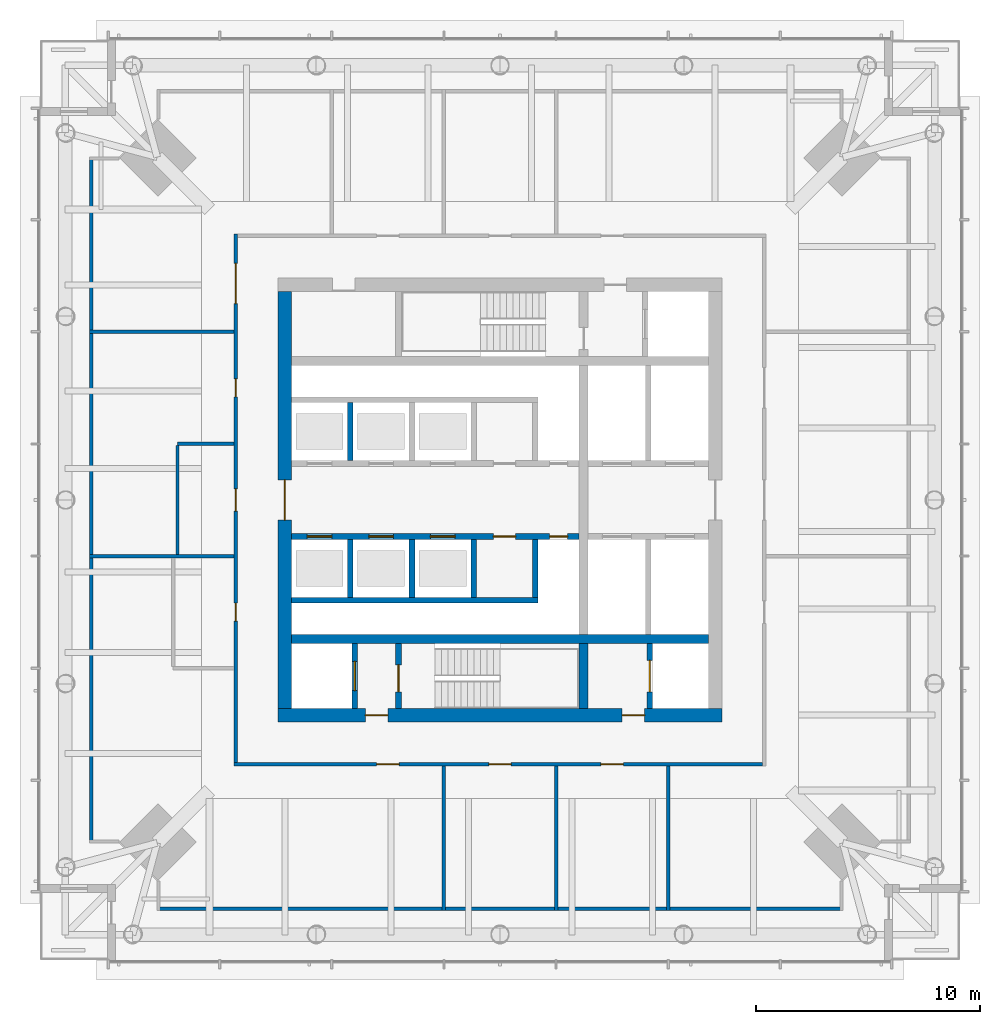
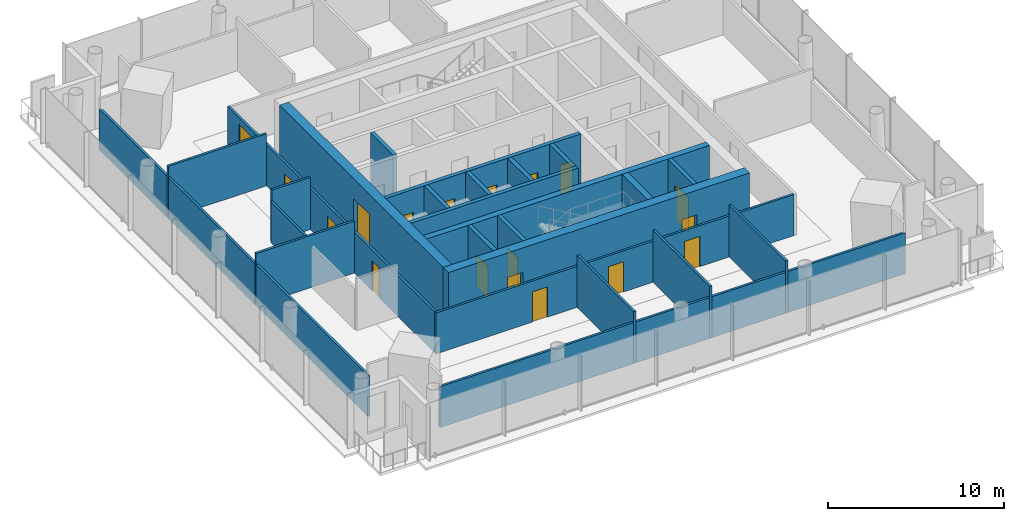
# One storey, part 4 of 12: 25 walls, 18 doors, 18 openings.
"""IFC4 building model written with IfcOpenShell, lengths in metres."""

import ifcopenshell
import ifcopenshell.guid

model = None  # the IFC model being written
_history = None  # IfcOwnerHistory: only IFC2X3 demands one
_inside = {}  # id of a spatial element -> (the spatial element, [elements in it])
_under = {}  # id of a project, library or spatial element -> (it, [spatial elements below it])
_declared = {}  # id of a project -> (the project, [libraries it declares])
_typed = {}  # id of a type object -> (the type object, [elements of that type])
_made_of = {}  # id of a material, layer set ... -> (it, [elements and type objects made of it])


def new_model(schema):
    """Start an empty IFC model of exactly this schema.

    Asked for "IFC4X3", IfcOpenShell would pick the latest addendum, in which some entities
    have other attributes; the version numbers below select the first issue.
    IFC2X3 requires an IfcOwnerHistory on every rooted entity: one is made here for all.
    """
    global model, _history
    if schema == "IFC4X3":
        model = ifcopenshell.file(schema_version=(4, 3, 0, 0))
    else:
        model = ifcopenshell.file(schema=schema)
    _inside.clear()
    _under.clear()
    _declared.clear()
    _typed.clear()
    _made_of.clear()
    _history = None
    if model.schema == "IFC2X3":
        org = make("IfcOrganization", Name="unknown")
        user = make(
            "IfcPersonAndOrganization",
            ThePerson=make("IfcPerson", FamilyName="unknown"),
            TheOrganization=org,
        )
        app = make(
            "IfcApplication",
            ApplicationDeveloper=org,
            Version="unknown",
            ApplicationFullName="unknown",
            ApplicationIdentifier="unknown",
        )
        _history = make(
            "IfcOwnerHistory",
            OwningUser=user,
            OwningApplication=app,
            ChangeAction="ADDED",
            CreationDate=0,
        )
    return model


def make(cls, **values):
    """One entity of the class cls with the attributes given. An attribute that is None is left unset."""
    return model.create_entity(
        cls, **{name: value for name, value in values.items() if value is not None}
    )


def rooted(cls, **values):
    """An entity with a GlobalId (a new one), such as an element, a storey or a relation."""
    return make(cls, GlobalId=ifcopenshell.guid.new(), OwnerHistory=_history, **values)


def si_unit(unit_type, name, prefix=None):
    """IfcSIUnit, for example si_unit("LENGTHUNIT", "METRE", prefix="MILLI")."""
    return make("IfcSIUnit", UnitType=unit_type, Prefix=prefix, Name=name)


def assignment(units):
    """IfcUnitAssignment: the units of a project."""
    return None if units is None else make("IfcUnitAssignment", Units=units)


def point(xyz):
    """IfcCartesianPoint."""
    return None if xyz is None else make("IfcCartesianPoint", Coordinates=xyz)


def direction(xyz):
    """IfcDirection."""
    return None if xyz is None else make("IfcDirection", DirectionRatios=xyz)


def frame(location, z_axis=None, x_axis=None):
    """IfcAxis2Placement3D, a coordinate frame: its origin and axes. An axis left out is left unset."""
    return make(
        "IfcAxis2Placement3D",
        Location=point(location),
        Axis=direction(z_axis),
        RefDirection=direction(x_axis),
    )


def frame_2d(location, x_axis=None):
    """IfcAxis2Placement2D, a coordinate frame in the plane: its origin and x axis."""
    return make(
        "IfcAxis2Placement2D", Location=point(location), RefDirection=direction(x_axis)
    )


def origin():
    """The frame at (0, 0, 0) with its axes left unset."""
    return frame((0.0, 0.0, 0.0))


def place(relative_to, where):
    """IfcLocalPlacement: puts the frame where relative to a parent placement (None: the world)."""
    return make(
        "IfcLocalPlacement", PlacementRelTo=relative_to, RelativePlacement=where
    )


def context(
    kind, dimensions, precision=None, world=None, true_north=None, identifier=None
):
    """IfcGeometricRepresentationContext, for example the 3D "Model" context."""
    return make(
        "IfcGeometricRepresentationContext",
        ContextIdentifier=identifier,
        ContextType=kind,
        CoordinateSpaceDimension=dimensions,
        Precision=precision,
        WorldCoordinateSystem=world,
        TrueNorth=true_north,
    )


def subcontext(parent, identifier, kind, view, scale=None):
    """IfcGeometricRepresentationSubContext, for example "Body" below "Model"."""
    return make(
        "IfcGeometricRepresentationSubContext",
        ContextIdentifier=identifier,
        ContextType=kind,
        ParentContext=parent,
        TargetScale=scale,
        TargetView=view,
    )


def project(units=None, contexts=None):
    """IfcProject with its units and contexts."""
    return rooted(
        "IfcProject",
        Name="project",
        RepresentationContexts=contexts,
        UnitsInContext=assignment(units),
    )


def spatial(cls, under=None, at=None, **own):
    """A site, building, storey or space (cls), placed at a placement, below another one or the project."""
    s = rooted(cls, ObjectPlacement=at, **own)
    if under is not None:
        _under.setdefault(under.id(), (under, []))[1].append(s)
    return s


def profile(cls, at=None, kind="AREA", **sizes):
    """A parametric profile (cls). Its sizes go by their IFC names, for example OverallWidth=200.0."""
    return make(cls, ProfileType=kind, Position=at, **sizes)


def rectangle(**sizes):
    """IfcRectangleProfileDef."""
    return profile("IfcRectangleProfileDef", **sizes)


def extrude(swept, where, along, depth):
    """IfcExtrudedAreaSolid: the profile swept, set in the frame where, extruded along a direction by depth."""
    return make(
        "IfcExtrudedAreaSolid",
        SweptArea=swept,
        Position=where,
        ExtrudedDirection=direction(along),
        Depth=depth,
    )


def shape(context_of_items, identifier, shape_type, items):
    """IfcShapeRepresentation: the items that make up one representation, for example the "Body"."""
    return make(
        "IfcShapeRepresentation",
        ContextOfItems=context_of_items,
        RepresentationIdentifier=identifier,
        RepresentationType=shape_type,
        Items=items,
    )


def material(Name=None, Category=None):
    """IfcMaterial."""
    return make("IfcMaterial", Name=Name, Category=Category)


def layer(
    of_material, thickness, ventilated=None, Name=None, Category=None, Priority=None
):
    """IfcMaterialLayer: one layer of a wall or slab, of a material (None: an air gap)."""
    return make(
        "IfcMaterialLayer",
        Material=of_material,
        LayerThickness=thickness,
        IsVentilated=ventilated,
        Name=Name,
        Category=Category,
        Priority=Priority,
    )


def layer_set(layers, Name=None):
    """IfcMaterialLayerSet."""
    return make("IfcMaterialLayerSet", MaterialLayers=layers, LayerSetName=Name)


def made_of(thing, what):
    """Note that an element or type object is made of a material, layer set ...; save() writes the relation."""
    if what is not None:
        _made_of.setdefault(what.id(), (what, []))[1].append(thing)
    return thing


def type_object(cls, material=None, **own):
    """A type object (cls), such as IfcWallType, which elements share."""
    return made_of(rooted(cls, **own), material)


def element(
    cls,
    number,
    at=None,
    inside=None,
    cuts=None,
    type_object=None,
    material=None,
    context=None,
    identifier="Body",
    shape_type=None,
    held_by="IfcProductDefinitionShape",
    body=None,
    shapes=None,
    **own,
):
    """One element of the class cls, such as IfcWall. Its Tag is "e" and its number.

    at: its placement. inside: the storey or other place that contains it. cuts: it is an
    opening in that element (IfcRelVoidsElement). A single representation is given by context,
    identifier, shape_type and body (its items); several are given by shapes. held_by: the class
    of the entity that holds the representations. save() writes the other relations.
    """
    e = rooted(cls, Tag="e%d" % number, ObjectPlacement=at, **own)
    if body is not None:
        shapes = [shape(context, identifier, shape_type, body)]
    if shapes is not None:
        e.Representation = make(held_by, Representations=shapes)
    if inside is not None:
        _inside.setdefault(inside.id(), (inside, []))[1].append(e)
    if cuts is not None:
        rooted(
            "IfcRelVoidsElement", RelatingBuildingElement=cuts, RelatedOpeningElement=e
        )
    if type_object is not None:
        _typed.setdefault(type_object.id(), (type_object, []))[1].append(e)
    return made_of(e, material)


def fill(opening, filler):
    """IfcRelFillsElement: the door or window that sits in an opening."""
    return rooted(
        "IfcRelFillsElement",
        RelatingOpeningElement=opening,
        RelatedBuildingElement=filler,
    )


def aggregate(whole, parts):
    """IfcRelAggregates: a whole, such as a stair, and the parts it consists of."""
    return rooted("IfcRelAggregates", RelatingObject=whole, RelatedObjects=parts)


def save(model, path):
    """Write the relations noted so far, then the file.

    IfcRelAggregates (storeys below a building ...), IfcRelContainedInSpatialStructure (elements
    in a storey), IfcRelDefinesByType, IfcRelAssociatesMaterial and IfcRelDeclares: one each for
    every whole, place, type object, material and project.
    """
    for whole, parts in _under.values():
        aggregate(whole, parts)
    for where, things in _inside.values():
        rooted(
            "IfcRelContainedInSpatialStructure",
            RelatedElements=things,
            RelatingStructure=where,
        )
    for kind, things in _typed.values():
        rooted("IfcRelDefinesByType", RelatedObjects=things, RelatingType=kind)
    for what, things in _made_of.values():
        rooted("IfcRelAssociatesMaterial", RelatedObjects=things, RelatingMaterial=what)
    for by, libraries in _declared.values():
        rooted("IfcRelDeclares", RelatingContext=by, RelatedDefinitions=libraries)
    model.write(path)


model = new_model("IFC4")

# Units and contexts
model_context = context("Model", 3, precision=1e-05, world=origin(), true_north=direction((0.0, 1.0)))
body_context = subcontext(model_context, "Body", "Model", "MODEL_VIEW")
ifc_project = project(units=[si_unit("LENGTHUNIT", "METRE"), si_unit("AREAUNIT", "SQUARE_METRE"), si_unit("VOLUMEUNIT", "CUBIC_METRE"), si_unit("PLANEANGLEUNIT", "RADIAN"), si_unit("MASSUNIT", "GRAM", prefix="KILO")], contexts=[model_context])

# Site, building, storey
site_placement = place(None, origin())
site = spatial("IfcSite", under=ifc_project, at=site_placement, CompositionType="ELEMENT")
building_placement = place(site_placement, origin())
building = spatial("IfcBuilding", under=site, at=building_placement, Name="Ostroluk Exchange", CompositionType="ELEMENT")
storey_placement = place(building_placement, frame((0.0, 0.0, 165.39990234375)))
storey = spatial("IfcBuildingStorey", under=building, at=storey_placement, Name="L42", CompositionType="ELEMENT", Elevation=165.39990234375)

# Walls
ifc_material_1 = material(Name="Concrete C50/60", Category="concrete")
ifc_layer_1 = layer(ifc_material_1, 0.39990234375)
ifc_layer_set_1 = layer_set([ifc_layer_1], Name="Core cross wall 400 C50/60")
wall_type_1 = type_object("IfcWallType", Name="Core cross wall 400 C50/60", PredefinedType="SHEAR", material=ifc_layer_set_1)
wall_1_placement = place(storey_placement, frame((35.699951171875, 39.800048828125, 0.0), z_axis=(0.0, 0.0, 1.0), x_axis=(1.0, 0.0, 0.0)))
element("IfcWall", 1, at=wall_1_placement, inside=storey, type_object=wall_type_1, Name="T1 core wall XS", PredefinedType="SHEAR", context=body_context, shape_type="SweptSolid", body=[
    extrude(rectangle(XDim=18.60009765625, YDim=0.39990234375, at=frame_2d((9.300048828125, 0.0))), origin(), (0.0, 0.0, 1.0), 3.800048828125),
])
wall_2_placement = place(storey_placement, frame((48.72998046875, 36.699951171875, 0.0), z_axis=(0.0, 0.0, 1.0), x_axis=(0.0, 1.0, 0.0)))
element("IfcWall", 2, at=wall_2_placement, inside=storey, type_object=wall_type_1, Name="T1 core wall YE1", PredefinedType="SHEAR", context=body_context, shape_type="SweptSolid", body=[
    extrude(rectangle(XDim=2.900146484375, YDim=0.39990234375, at=frame_2d((1.4501953125, 0.0))), origin(), (0.0, 0.0, 1.0), 3.800048828125),
])

# Wall, opening, door
ifc_material_2 = material(Name="Concrete C40/50", Category="concrete")
ifc_layer_2 = layer(ifc_material_2, 0.25)
ifc_layer_set_2 = layer_set([ifc_layer_2], Name="Core shaft wall 250")
wall_type_2 = type_object("IfcWallType", Name="Core shaft wall 250", PredefinedType="SHEAR", material=ifc_layer_set_2)
wall_3_placement = place(storey_placement, frame((38.52490234375, 36.699951171875, 0.0), z_axis=(0.0, 0.0, 1.0), x_axis=(0.0, 1.0, 0.0)))
wall_3 = element("IfcWall", 3, at=wall_3_placement, inside=storey, type_object=wall_type_2, Name="Firefighting lift shaft wall", PredefinedType="SHEAR", context=body_context, shape_type="SweptSolid", body=[
    extrude(rectangle(XDim=2.900146484375, YDim=0.25, at=frame_2d((1.4501953125, 0.0))), origin(), (0.0, 0.0, 1.0), 3.800048828125),
])
opening_1_placement = place(wall_3_placement, frame((0.800048828125, 0.0, 0.0)))
opening_1 = element("IfcOpeningElement", 4, at=opening_1_placement, cuts=wall_3, Name="Opening LD2", PredefinedType="OPENING", context=body_context, shape_type="SweptSolid", body=[
    extrude(rectangle(XDim=1.300048828125, YDim=2.199951171875, at=frame_2d((0.64990234375, 1.10009765625))), frame((0.0, 0.135009765625, 0.0), z_axis=(0.0, -1.0, 0.0), x_axis=(1.0, 0.0, 0.0)), (0.0, 0.0, 1.0), 0.27001953125),
])
ifc_material_3 = material(Name="Stainless steel", Category="steel")
door_type_1 = type_object("IfcDoorType", Name="Lift landing door E 60 1300 x 2200", OperationType="DOUBLE_DOOR_SLIDING", PredefinedType="DOOR", material=ifc_material_3)
door_1_placement = place(opening_1_placement, origin())
door_1 = element("IfcDoor", 5, at=door_1_placement, inside=storey, type_object=door_type_1, Name="Lift FL1 landing door", OperationType="DOUBLE_DOOR_SLIDING", OverallHeight=2.199951171875, OverallWidth=1.300048828125, PredefinedType="DOOR", context=body_context, shape_type="SweptSolid", body=[
    extrude(rectangle(XDim=1.300048828125, YDim=2.199951171875, at=frame_2d((0.64990234375, 1.10009765625))), frame((0.0, 0.02490234375, 0.0), z_axis=(0.0, -1.0, 0.0), x_axis=(1.0, 0.0, 0.0)), (0.0, 0.0, 1.0), 0.050048828125),
])
fill(opening_1, door_1)

wall_4_placement = place(storey_placement, frame((40.47509765625, 36.699951171875, 0.0), z_axis=(0.0, 0.0, 1.0), x_axis=(0.0, 1.0, 0.0)))
wall_4 = element("IfcWall", 6, at=wall_4_placement, inside=storey, type_object=wall_type_2, Name="Stair shaft wall", PredefinedType="SHEAR", context=body_context, shape_type="SweptSolid", body=[
    extrude(rectangle(XDim=2.900146484375, YDim=0.25, at=frame_2d((1.4501953125, 0.0))), origin(), (0.0, 0.0, 1.0), 3.800048828125),
])
opening_2_placement = place(wall_4_placement, frame((0.75, 0.0, 0.0)))
opening_2 = element("IfcOpeningElement", 7, at=opening_2_placement, cuts=wall_4, Name="Opening FD60S", PredefinedType="OPENING", context=body_context, shape_type="SweptSolid", body=[
    extrude(rectangle(XDim=1.199951171875, YDim=2.10009765625, at=frame_2d((0.60009765625, 1.050048828125))), frame((0.0, 0.135009765625, 0.0), z_axis=(0.0, -1.0, 0.0), x_axis=(1.0, 0.0, 0.0)), (0.0, 0.0, 1.0), 0.27001953125),
])
ifc_material_4 = material(Name="Steel", Category="steel")
door_type_2 = type_object("IfcDoorType", Name="Stair door EI 60 1200 x 2100", OperationType="SINGLE_SWING_LEFT", PredefinedType="DOOR", material=ifc_material_4)
door_2_placement = place(opening_2_placement, origin())
door_2 = element("IfcDoor", 8, at=door_2_placement, inside=storey, type_object=door_type_2, Name="Stair T1-S1 door", OperationType="SINGLE_SWING_LEFT", OverallHeight=2.10009765625, OverallWidth=1.199951171875, PredefinedType="DOOR", context=body_context, shape_type="SweptSolid", body=[
    extrude(rectangle(XDim=1.199951171875, YDim=2.10009765625, at=frame_2d((0.60009765625, 1.050048828125))), frame((0.0, 0.02490234375, 0.0), z_axis=(0.0, -1.0, 0.0), x_axis=(1.0, 0.0, 0.0)), (0.0, 0.0, 1.0), 0.050048828125),
])
fill(opening_2, door_2)

wall_5_placement = place(storey_placement, frame((51.675048828125, 36.699951171875, 0.0), z_axis=(0.0, 0.0, 1.0), x_axis=(0.0, 1.0, 0.0)))
wall_5 = element("IfcWall", 9, at=wall_5_placement, inside=storey, type_object=wall_type_2, Name="Service lift shaft wall", PredefinedType="SHEAR", context=body_context, shape_type="SweptSolid", body=[
    extrude(rectangle(XDim=2.900146484375, YDim=0.25, at=frame_2d((1.4501953125, 0.0))), origin(), (0.0, 0.0, 1.0), 3.800048828125),
])
opening_3_placement = place(wall_5_placement, frame((0.75, 0.0, 0.0)))
opening_3 = element("IfcOpeningElement", 10, at=opening_3_placement, cuts=wall_5, Name="Opening LD3", PredefinedType="OPENING", context=body_context, shape_type="SweptSolid", body=[
    extrude(rectangle(XDim=1.39990234375, YDim=2.39990234375, at=frame_2d((0.699951171875, 1.199951171875))), frame((0.0, 0.135009765625, 0.0), z_axis=(0.0, -1.0, 0.0), x_axis=(1.0, 0.0, 0.0)), (0.0, 0.0, 1.0), 0.27001953125),
])
ifc_material_5 = material(Name="Stainless steel", Category="steel")
door_type_3 = type_object("IfcDoorType", Name="Goods lift landing door E 60 1400 x 2400", OperationType="DOUBLE_DOOR_SLIDING", PredefinedType="DOOR", material=ifc_material_5)
door_3_placement = place(opening_3_placement, origin())
door_3 = element("IfcDoor", 11, at=door_3_placement, inside=storey, type_object=door_type_3, Name="Lift SL1 landing door", OperationType="DOUBLE_DOOR_SLIDING", OverallHeight=2.39990234375, OverallWidth=1.39990234375, PredefinedType="DOOR", context=body_context, shape_type="SweptSolid", body=[
    extrude(rectangle(XDim=1.39990234375, YDim=2.39990234375, at=frame_2d((0.699951171875, 1.199951171875))), frame((0.0, 0.02490234375, 0.0), z_axis=(0.0, -1.0, 0.0), x_axis=(1.0, 0.0, 0.0)), (0.0, 0.0, 1.0), 0.050048828125),
])
fill(opening_3, door_3)

# Walls
for number, where, z_axis, x_axis, name in (
    (12, (38.324951171875, 47.75, 0.0), (0.0, 0.0, 1.0), (0.0, 1.0, 0.0), "Lift shaft wall"),
    (13, (38.324951171875, 44.25, 0.0), (0.0, 0.0, 1.0), (0.0, -1.0, 0.0), "Lift shaft wall"),
    (14, (41.074951171875, 44.25, 0.0), (0.0, 0.0, 1.0), (0.0, -1.0, 0.0), "Lift shaft wall"),
    (15, (43.824951171875, 44.25, 0.0), (0.0, 0.0, 1.0), (0.0, -1.0, 0.0), "Lift shaft wall"),
    (16, (46.574951171875, 44.25, 0.0), (0.0, 0.0, 1.0), (0.0, -1.0, 0.0), "Lift shaft wall"),
):
    element("IfcWall", number, at=place(storey_placement, frame(where, z_axis=z_axis, x_axis=x_axis)), inside=storey, type_object=wall_type_2, Name=name, PredefinedType="SHEAR", context=body_context, shape_type="SweptSolid", body=[
        extrude(rectangle(XDim=2.60009765625, YDim=0.25, at=frame_2d((1.300048828125, 0.0))), origin(), (0.0, 0.0, 1.0), 3.800048828125),
    ])
wall_6_placement = place(storey_placement, frame((35.699951171875, 41.52490234375, 0.0), z_axis=(0.0, 0.0, 1.0), x_axis=(1.0, 0.0, 0.0)))
element("IfcWall", 17, at=wall_6_placement, inside=storey, type_object=wall_type_2, Name="Lift shaft wall", PredefinedType="SHEAR", context=body_context, shape_type="SweptSolid", body=[
    extrude(rectangle(XDim=11.0, YDim=0.25, at=frame_2d((5.5, 0.0))), origin(), (0.0, 0.0, 1.0), 3.800048828125),
])

# Wall, openings, doors
wall_7_placement = place(storey_placement, frame((35.699951171875, 44.375, 0.0), z_axis=(0.0, 0.0, 1.0), x_axis=(1.0, 0.0, 0.0)))
wall_7 = element("IfcWall", 18, at=wall_7_placement, inside=storey, type_object=wall_type_2, Name="Lift shaft front wall", PredefinedType="SHEAR", context=body_context, shape_type="SweptSolid", body=[
    extrude(rectangle(XDim=12.830078125, YDim=0.25, at=frame_2d((6.4150390625, 0.0))), origin(), (0.0, 0.0, 1.0), 3.800048828125),
])
opening_4_placement = place(wall_7_placement, frame((0.699951171875, 0.0, 0.0)))
opening_4 = element("IfcOpeningElement", 19, at=opening_4_placement, cuts=wall_7, Name="Opening LD", PredefinedType="OPENING", context=body_context, shape_type="SweptSolid", body=[
    extrude(rectangle(XDim=1.10009765625, YDim=2.199951171875, at=frame_2d((0.550048828125, 1.10009765625))), frame((0.0, 0.135009765625, 0.0), z_axis=(0.0, -1.0, 0.0), x_axis=(1.0, 0.0, 0.0)), (0.0, 0.0, 1.0), 0.27001953125),
])
opening_5_placement = place(wall_7_placement, frame((3.449951171875, 0.0, 0.0)))
opening_5 = element("IfcOpeningElement", 20, at=opening_5_placement, cuts=wall_7, Name="Opening LD", PredefinedType="OPENING", context=body_context, shape_type="SweptSolid", body=[
    extrude(rectangle(XDim=1.10009765625, YDim=2.199951171875, at=frame_2d((0.550048828125, 1.10009765625))), frame((0.0, 0.135009765625, 0.0), z_axis=(0.0, -1.0, 0.0), x_axis=(1.0, 0.0, 0.0)), (0.0, 0.0, 1.0), 0.27001953125),
])
opening_6_placement = place(wall_7_placement, frame((6.199951171875, 0.0, 0.0)))
opening_6 = element("IfcOpeningElement", 21, at=opening_6_placement, cuts=wall_7, Name="Opening LD", PredefinedType="OPENING", context=body_context, shape_type="SweptSolid", body=[
    extrude(rectangle(XDim=1.10009765625, YDim=2.199951171875, at=frame_2d((0.550048828125, 1.10009765625))), frame((0.0, 0.135009765625, 0.0), z_axis=(0.0, -1.0, 0.0), x_axis=(1.0, 0.0, 0.0)), (0.0, 0.0, 1.0), 0.27001953125),
])
opening_7_placement = place(wall_7_placement, frame((9.0, 0.0, 0.0)))
opening_7 = element("IfcOpeningElement", 22, at=opening_7_placement, cuts=wall_7, Name="Opening FD60", PredefinedType="OPENING", context=body_context, shape_type="SweptSolid", body=[
    extrude(rectangle(XDim=1.0, YDim=2.10009765625, at=frame_2d((0.5, 1.050048828125))), frame((0.0, 0.135009765625, 0.0), z_axis=(0.0, -1.0, 0.0), x_axis=(1.0, 0.0, 0.0)), (0.0, 0.0, 1.0), 0.27001953125),
])
opening_8_placement = place(wall_7_placement, frame((11.514892578125, 0.0, 0.0)))
opening_8 = element("IfcOpeningElement", 23, at=opening_8_placement, cuts=wall_7, Name="Opening RD60", PredefinedType="OPENING", context=body_context, shape_type="SweptSolid", body=[
    extrude(rectangle(XDim=0.800048828125, YDim=2.0, at=frame_2d((0.39990234375, 1.0))), frame((0.0, 0.135009765625, 0.0), z_axis=(0.0, -1.0, 0.0), x_axis=(1.0, 0.0, 0.0)), (0.0, 0.0, 1.0), 0.27001953125),
])
ifc_material_6 = material(Name="Steel", Category="steel")
door_type_4 = type_object("IfcDoorType", Name="Fire door EI 60 1000 x 2100", OperationType="SINGLE_SWING_LEFT", PredefinedType="DOOR", material=ifc_material_6)
door_4_placement = place(opening_7_placement, origin())
door_4 = element("IfcDoor", 24, at=door_4_placement, inside=storey, type_object=door_type_4, Name="Core room door", OperationType="SINGLE_SWING_RIGHT", OverallHeight=2.10009765625, OverallWidth=1.0, PredefinedType="DOOR", context=body_context, shape_type="SweptSolid", body=[
    extrude(rectangle(XDim=1.0, YDim=2.10009765625, at=frame_2d((0.5, 1.050048828125))), frame((0.0, 0.02490234375, 0.0), z_axis=(0.0, -1.0, 0.0), x_axis=(1.0, 0.0, 0.0)), (0.0, 0.0, 1.0), 0.050048828125),
])
fill(opening_7, door_4)
ifc_material_7 = material(Name="Stainless steel", Category="steel")
door_type_5 = type_object("IfcDoorType", Name="Lift landing door E 60 1100 x 2200", OperationType="DOUBLE_DOOR_SLIDING", PredefinedType="DOOR", material=ifc_material_7)
door_5_placement = place(opening_4_placement, origin())
door_5 = element("IfcDoor", 25, at=door_5_placement, inside=storey, type_object=door_type_5, Name="Lift PL-H4 landing door", OperationType="DOUBLE_DOOR_SLIDING", OverallHeight=2.199951171875, OverallWidth=1.10009765625, PredefinedType="DOOR", context=body_context, shape_type="SweptSolid", body=[
    extrude(rectangle(XDim=1.10009765625, YDim=2.199951171875, at=frame_2d((0.550048828125, 1.10009765625))), frame((0.0, 0.02490234375, 0.0), z_axis=(0.0, -1.0, 0.0), x_axis=(1.0, 0.0, 0.0)), (0.0, 0.0, 1.0), 0.050048828125),
])
fill(opening_4, door_5)
door_6_placement = place(opening_5_placement, origin())
door_6 = element("IfcDoor", 26, at=door_6_placement, inside=storey, type_object=door_type_5, Name="Lift PL-H5 landing door", OperationType="DOUBLE_DOOR_SLIDING", OverallHeight=2.199951171875, OverallWidth=1.10009765625, PredefinedType="DOOR", context=body_context, shape_type="SweptSolid", body=[
    extrude(rectangle(XDim=1.10009765625, YDim=2.199951171875, at=frame_2d((0.550048828125, 1.10009765625))), frame((0.0, 0.02490234375, 0.0), z_axis=(0.0, -1.0, 0.0), x_axis=(1.0, 0.0, 0.0)), (0.0, 0.0, 1.0), 0.050048828125),
])
fill(opening_5, door_6)
door_7_placement = place(opening_6_placement, origin())
door_7 = element("IfcDoor", 27, at=door_7_placement, inside=storey, type_object=door_type_5, Name="Lift PL-H6 landing door", OperationType="DOUBLE_DOOR_SLIDING", OverallHeight=2.199951171875, OverallWidth=1.10009765625, PredefinedType="DOOR", context=body_context, shape_type="SweptSolid", body=[
    extrude(rectangle(XDim=1.10009765625, YDim=2.199951171875, at=frame_2d((0.550048828125, 1.10009765625))), frame((0.0, 0.02490234375, 0.0), z_axis=(0.0, -1.0, 0.0), x_axis=(1.0, 0.0, 0.0)), (0.0, 0.0, 1.0), 0.050048828125),
])
fill(opening_6, door_7)
ifc_material_8 = material(Name="Steel", Category="steel")
door_type_6 = type_object("IfcDoorType", Name="Riser access door EI 60 800 x 2000", OperationType="SINGLE_SWING_LEFT", PredefinedType="DOOR", material=ifc_material_8)
door_8_placement = place(opening_8_placement, origin())
door_8 = element("IfcDoor", 28, at=door_8_placement, inside=storey, type_object=door_type_6, Name="Riser access door", OperationType="SINGLE_SWING_RIGHT", OverallHeight=2.0, OverallWidth=0.800048828125, PredefinedType="DOOR", context=body_context, shape_type="SweptSolid", body=[
    extrude(rectangle(XDim=0.800048828125, YDim=2.0, at=frame_2d((0.39990234375, 1.0))), frame((0.0, 0.02490234375, 0.0), z_axis=(0.0, -1.0, 0.0), x_axis=(1.0, 0.0, 0.0)), (0.0, 0.0, 1.0), 0.050048828125),
])
fill(opening_8, door_8)

ifc_material_9 = material(Name="Concrete C50/60", Category="concrete")
ifc_layer_3 = layer(ifc_material_9, 0.60009765625)
ifc_layer_set_3 = layer_set([ifc_layer_3], Name="Core wall 600 C50/60")
wall_type_3 = type_object("IfcWallType", Name="Core wall 600 C50/60", PredefinedType="SHEAR", material=ifc_layer_set_3)
wall_8_placement = place(storey_placement, frame((35.10009765625, 36.39990234375, 0.0), z_axis=(0.0, 0.0, 1.0), x_axis=(1.0, 0.0, 0.0)))
wall_8 = element("IfcWall", 29, at=wall_8_placement, inside=storey, type_object=wall_type_3, Name="T1 core wall S", PredefinedType="SHEAR", context=body_context, shape_type="SweptSolid", body=[
    extrude(rectangle(XDim=19.7998046875, YDim=0.60009765625, at=frame_2d((9.89990234375, 0.0))), origin(), (0.0, 0.0, 1.0), 3.800048828125),
])
opening_9_placement = place(wall_8_placement, frame((3.89990234375, 0.0, 0.0)))
opening_9 = element("IfcOpeningElement", 30, at=opening_9_placement, cuts=wall_8, Name="Opening FD60", PredefinedType="OPENING", context=body_context, shape_type="SweptSolid", body=[
    extrude(rectangle(XDim=1.0, YDim=2.10009765625, at=frame_2d((0.5, 1.050048828125))), frame((0.0, 0.31005859375, 0.0), z_axis=(0.0, -1.0, 0.0), x_axis=(1.0, 0.0, 0.0)), (0.0, 0.0, 1.0), 0.6201171875),
])
opening_10_placement = place(wall_8_placement, frame((15.35009765625, 0.0, 0.0)))
opening_10 = element("IfcOpeningElement", 31, at=opening_10_placement, cuts=wall_8, Name="Opening FD60", PredefinedType="OPENING", context=body_context, shape_type="SweptSolid", body=[
    extrude(rectangle(XDim=1.0, YDim=2.10009765625, at=frame_2d((0.5, 1.050048828125))), frame((0.0, 0.31005859375, 0.0), z_axis=(0.0, -1.0, 0.0), x_axis=(1.0, 0.0, 0.0)), (0.0, 0.0, 1.0), 0.6201171875),
])
door_9_placement = place(opening_9_placement, origin())
door_9 = element("IfcDoor", 32, at=door_9_placement, inside=storey, type_object=door_type_4, Name="Firefighting lobby door", OperationType="SINGLE_SWING_LEFT", OverallHeight=2.10009765625, OverallWidth=1.0, PredefinedType="DOOR", context=body_context, shape_type="SweptSolid", body=[
    extrude(rectangle(XDim=1.0, YDim=2.10009765625, at=frame_2d((0.5, 1.050048828125))), frame((0.0, 0.02490234375, 0.0), z_axis=(0.0, -1.0, 0.0), x_axis=(1.0, 0.0, 0.0)), (0.0, 0.0, 1.0), 0.050048828125),
])
fill(opening_9, door_9)
door_10_placement = place(opening_10_placement, origin())
door_10 = element("IfcDoor", 33, at=door_10_placement, inside=storey, type_object=door_type_4, Name="Service lobby door", OperationType="SINGLE_SWING_RIGHT", OverallHeight=2.10009765625, OverallWidth=1.0, PredefinedType="DOOR", context=body_context, shape_type="SweptSolid", body=[
    extrude(rectangle(XDim=1.0, YDim=2.10009765625, at=frame_2d((0.5, 1.050048828125))), frame((0.0, 0.02490234375, 0.0), z_axis=(0.0, -1.0, 0.0), x_axis=(1.0, 0.0, 0.0)), (0.0, 0.0, 1.0), 0.050048828125),
])
fill(opening_10, door_10)

# Wall, opening, door
wall_9_placement = place(storey_placement, frame((35.39990234375, 36.699951171875, 0.0), z_axis=(0.0, 0.0, 1.0), x_axis=(0.0, 1.0, 0.0)))
wall_9 = element("IfcWall", 34, at=wall_9_placement, inside=storey, type_object=wall_type_3, Name="T1 core wall W", PredefinedType="SHEAR", context=body_context, shape_type="SweptSolid", body=[
    extrude(rectangle(XDim=18.60009765625, YDim=0.60009765625, at=frame_2d((9.300048828125, 0.0))), origin(), (0.0, 0.0, 1.0), 3.800048828125),
])
opening_11_placement = place(wall_9_placement, frame((8.39990234375, 0.0, 0.0)))
opening_11 = element("IfcOpeningElement", 35, at=opening_11_placement, cuts=wall_9, Name="Opening FD30D", PredefinedType="OPENING", context=body_context, shape_type="SweptSolid", body=[
    extrude(rectangle(XDim=1.800048828125, YDim=2.39990234375, at=frame_2d((0.89990234375, 1.199951171875))), frame((0.0, 0.31005859375, 0.0), z_axis=(0.0, -1.0, 0.0), x_axis=(1.0, 0.0, 0.0)), (0.0, 0.0, 1.0), 0.6201171875),
])
ifc_material_10 = material(Name="Timber", Category="wood")
door_type_7 = type_object("IfcDoorType", Name="Lobby double door EI 30 1800 x 2400", OperationType="DOUBLE_DOOR_SINGLE_SWING", PredefinedType="DOOR", material=ifc_material_10)
door_11_placement = place(opening_11_placement, origin())
door_11 = element("IfcDoor", 36, at=door_11_placement, inside=storey, type_object=door_type_7, Name="Lift lobby doors", OperationType="DOUBLE_DOOR_SINGLE_SWING", OverallHeight=2.39990234375, OverallWidth=1.800048828125, PredefinedType="DOOR", context=body_context, shape_type="SweptSolid", body=[
    extrude(rectangle(XDim=1.800048828125, YDim=2.39990234375, at=frame_2d((0.89990234375, 1.199951171875))), frame((0.0, 0.02490234375, 0.0), z_axis=(0.0, -1.0, 0.0), x_axis=(1.0, 0.0, 0.0)), (0.0, 0.0, 1.0), 0.050048828125),
])
fill(opening_11, door_11)

# Wall, openings, doors
ifc_material_11 = material(Name="Gypsum plasterboard partition", Category="gypsum")
ifc_layer_4 = layer(ifc_material_11, 0.14990234375)
ifc_layer_set_4 = layer_set([ifc_layer_4], Name="Plasterboard partition 150")
wall_type_4 = type_object("IfcWallType", Name="Plasterboard partition 150", PredefinedType="PARTITIONING", material=ifc_layer_set_4)
wall_10_placement = place(storey_placement, frame((33.22509765625, 57.85009765625, 0.0), z_axis=(0.0, 0.0, 1.0), x_axis=(0.0, -1.0, 0.0)))
wall_10 = element("IfcWall", 37, at=wall_10_placement, inside=storey, type_object=wall_type_4, Name="Partition", PredefinedType="PARTITIONING", context=body_context, shape_type="SweptSolid", body=[
    extrude(rectangle(XDim=23.550048828125, YDim=0.14990234375, at=frame_2d((11.77490234375, 0.0))), origin(), (0.0, 0.0, 1.0), 2.85009765625),
])
opening_12_placement = place(wall_10_placement, frame((6.449951171875, 0.0, 0.0)))
opening_12 = element("IfcOpeningElement", 38, at=opening_12_placement, cuts=wall_10, Name="Opening D-06", PredefinedType="OPENING", context=body_context, shape_type="SweptSolid", body=[
    extrude(rectangle(XDim=0.800048828125, YDim=2.10009765625, at=frame_2d((0.39990234375, 1.050048828125))), frame((0.0, 0.0849609375, 0.0), z_axis=(0.0, -1.0, 0.0), x_axis=(1.0, 0.0, 0.0)), (0.0, 0.0, 1.0), 0.169921875),
])
opening_13_placement = place(wall_10_placement, frame((11.35009765625, 0.0, 0.0)))
opening_13 = element("IfcOpeningElement", 39, at=opening_13_placement, cuts=wall_10, Name="Opening D-03", PredefinedType="OPENING", context=body_context, shape_type="SweptSolid", body=[
    extrude(rectangle(XDim=1.0, YDim=2.10009765625, at=frame_2d((0.5, 1.050048828125))), frame((0.0, 0.0849609375, 0.0), z_axis=(0.0, -1.0, 0.0), x_axis=(1.0, 0.0, 0.0)), (0.0, 0.0, 1.0), 0.169921875),
])
opening_14_placement = place(wall_10_placement, frame((16.449951171875, 0.0, 0.0)))
opening_14 = element("IfcOpeningElement", 40, at=opening_14_placement, cuts=wall_10, Name="Opening D-06", PredefinedType="OPENING", context=body_context, shape_type="SweptSolid", body=[
    extrude(rectangle(XDim=0.800048828125, YDim=2.10009765625, at=frame_2d((0.39990234375, 1.050048828125))), frame((0.0, 0.0849609375, 0.0), z_axis=(0.0, -1.0, 0.0), x_axis=(1.0, 0.0, 0.0)), (0.0, 0.0, 1.0), 0.169921875),
])
opening_15_placement = place(wall_10_placement, frame((1.300048828125, 0.0, 0.0)))
opening_15 = element("IfcOpeningElement", 41, at=opening_15_placement, cuts=wall_10, Name="Opening D-04", PredefinedType="OPENING", context=body_context, shape_type="SweptSolid", body=[
    extrude(rectangle(XDim=1.800048828125, YDim=2.39990234375, at=frame_2d((0.89990234375, 1.199951171875))), frame((0.0, 0.0849609375, 0.0), z_axis=(0.0, -1.0, 0.0), x_axis=(1.0, 0.0, 0.0)), (0.0, 0.0, 1.0), 0.169921875),
])
ifc_material_12 = material(Name="Timber", Category="wood")
door_type_8 = type_object("IfcDoorType", Name="Double door 1800 x 2400", OperationType="DOUBLE_DOOR_SINGLE_SWING", PredefinedType="DOOR", material=ifc_material_12)
door_12_placement = place(opening_15_placement, origin())
door_12 = element("IfcDoor", 42, at=door_12_placement, inside=storey, type_object=door_type_8, Name="Business lounge door", OperationType="DOUBLE_DOOR_SINGLE_SWING", OverallHeight=2.39990234375, OverallWidth=1.800048828125, PredefinedType="DOOR", context=body_context, shape_type="SweptSolid", body=[
    extrude(rectangle(XDim=1.800048828125, YDim=2.39990234375, at=frame_2d((0.89990234375, 1.199951171875))), frame((0.0, 0.02490234375, 0.0), z_axis=(0.0, -1.0, 0.0), x_axis=(1.0, 0.0, 0.0)), (0.0, 0.0, 1.0), 0.050048828125),
])
fill(opening_15, door_12)
ifc_material_13 = material(Name="Timber", Category="wood")
door_type_9 = type_object("IfcDoorType", Name="Internal door 1000 x 2100", OperationType="SINGLE_SWING_LEFT", PredefinedType="DOOR", material=ifc_material_13)
door_13_placement = place(opening_13_placement, origin())
door_13 = element("IfcDoor", 43, at=door_13_placement, inside=storey, type_object=door_type_9, Name="Accessible WC door", OperationType="SINGLE_SWING_RIGHT", OverallHeight=2.10009765625, OverallWidth=1.0, PredefinedType="DOOR", context=body_context, shape_type="SweptSolid", body=[
    extrude(rectangle(XDim=1.0, YDim=2.10009765625, at=frame_2d((0.5, 1.050048828125))), frame((0.0, 0.02490234375, 0.0), z_axis=(0.0, -1.0, 0.0), x_axis=(1.0, 0.0, 0.0)), (0.0, 0.0, 1.0), 0.050048828125),
])
fill(opening_13, door_13)
ifc_material_14 = material(Name="Timber", Category="wood")
door_type_10 = type_object("IfcDoorType", Name="Toilet door 800 x 2100", OperationType="SINGLE_SWING_LEFT", PredefinedType="DOOR", material=ifc_material_14)
door_14_placement = place(opening_12_placement, origin())
door_14 = element("IfcDoor", 44, at=door_14_placement, inside=storey, type_object=door_type_10, Name="WC female door", OperationType="SINGLE_SWING_LEFT", OverallHeight=2.10009765625, OverallWidth=0.800048828125, PredefinedType="DOOR", context=body_context, shape_type="SweptSolid", body=[
    extrude(rectangle(XDim=0.800048828125, YDim=2.10009765625, at=frame_2d((0.39990234375, 1.050048828125))), frame((0.0, 0.02490234375, 0.0), z_axis=(0.0, -1.0, 0.0), x_axis=(1.0, 0.0, 0.0)), (0.0, 0.0, 1.0), 0.050048828125),
])
fill(opening_12, door_14)
door_15_placement = place(opening_14_placement, origin())
door_15 = element("IfcDoor", 45, at=door_15_placement, inside=storey, type_object=door_type_10, Name="WC male door", OperationType="SINGLE_SWING_RIGHT", OverallHeight=2.10009765625, OverallWidth=0.800048828125, PredefinedType="DOOR", context=body_context, shape_type="SweptSolid", body=[
    extrude(rectangle(XDim=0.800048828125, YDim=2.10009765625, at=frame_2d((0.39990234375, 1.050048828125))), frame((0.0, 0.02490234375, 0.0), z_axis=(0.0, -1.0, 0.0), x_axis=(1.0, 0.0, 0.0)), (0.0, 0.0, 1.0), 0.050048828125),
])
fill(opening_14, door_15)

# Walls
wall_11_placement = place(storey_placement, frame((33.14990234375, 53.5, 0.0), z_axis=(0.0, 0.0, 1.0), x_axis=(-1.0, 0.0, 0.0)))
element("IfcWall", 46, at=wall_11_placement, inside=storey, type_object=wall_type_4, Name="Partition", PredefinedType="PARTITIONING", context=body_context, shape_type="SweptSolid", body=[
    extrude(rectangle(XDim=6.449951171875, YDim=0.14990234375, at=frame_2d((3.22509765625, 0.0))), origin(), (0.0, 0.0, 1.0), 3.6201171875),
])
wall_12_placement = place(storey_placement, frame((33.14990234375, 48.5, 0.0), z_axis=(0.0, 0.0, 1.0), x_axis=(-1.0, 0.0, 0.0)))
element("IfcWall", 47, at=wall_12_placement, inside=storey, type_object=wall_type_4, Name="Partition", PredefinedType="PARTITIONING", context=body_context, shape_type="SweptSolid", body=[
    extrude(rectangle(XDim=2.52490234375, YDim=0.14990234375, at=frame_2d((1.262451171875, 0.0))), origin(), (0.0, 0.0, 1.0), 3.6201171875),
])
wall_13_placement = place(storey_placement, frame((33.14990234375, 43.5, 0.0), z_axis=(0.0, 0.0, 1.0), x_axis=(-1.0, 0.0, 0.0)))
element("IfcWall", 48, at=wall_13_placement, inside=storey, type_object=wall_type_4, Name="Partition", PredefinedType="PARTITIONING", context=body_context, shape_type="SweptSolid", body=[
    extrude(rectangle(XDim=6.449951171875, YDim=0.14990234375, at=frame_2d((3.22509765625, 0.0))), origin(), (0.0, 0.0, 1.0), 3.6201171875),
])

# Wall, openings, doors
wall_14_placement = place(storey_placement, frame((33.14990234375, 34.22509765625, 0.0), z_axis=(0.0, 0.0, 1.0), x_axis=(1.0, 0.0, 0.0)))
wall_14 = element("IfcWall", 49, at=wall_14_placement, inside=storey, type_object=wall_type_4, Name="Partition", PredefinedType="PARTITIONING", context=body_context, shape_type="SweptSolid", body=[
    extrude(rectangle(XDim=23.550048828125, YDim=0.14990234375, at=frame_2d((11.77490234375, 0.0))), origin(), (0.0, 0.0, 1.0), 2.85009765625),
])
opening_16_placement = place(wall_14_placement, frame((6.35009765625, 0.0, 0.0)))
opening_16 = element("IfcOpeningElement", 50, at=opening_16_placement, cuts=wall_14, Name="Opening D-03", PredefinedType="OPENING", context=body_context, shape_type="SweptSolid", body=[
    extrude(rectangle(XDim=1.0, YDim=2.10009765625, at=frame_2d((0.5, 1.050048828125))), frame((0.0, 0.0849609375, 0.0), z_axis=(0.0, -1.0, 0.0), x_axis=(1.0, 0.0, 0.0)), (0.0, 0.0, 1.0), 0.169921875),
])
opening_17_placement = place(wall_14_placement, frame((11.35009765625, 0.0, 0.0)))
opening_17 = element("IfcOpeningElement", 51, at=opening_17_placement, cuts=wall_14, Name="Opening D-03", PredefinedType="OPENING", context=body_context, shape_type="SweptSolid", body=[
    extrude(rectangle(XDim=1.0, YDim=2.10009765625, at=frame_2d((0.5, 1.050048828125))), frame((0.0, 0.0849609375, 0.0), z_axis=(0.0, -1.0, 0.0), x_axis=(1.0, 0.0, 0.0)), (0.0, 0.0, 1.0), 0.169921875),
])
opening_18_placement = place(wall_14_placement, frame((16.35009765625, 0.0, 0.0)))
opening_18 = element("IfcOpeningElement", 52, at=opening_18_placement, cuts=wall_14, Name="Opening D-03", PredefinedType="OPENING", context=body_context, shape_type="SweptSolid", body=[
    extrude(rectangle(XDim=1.0, YDim=2.10009765625, at=frame_2d((0.5, 1.050048828125))), frame((0.0, 0.0849609375, 0.0), z_axis=(0.0, -1.0, 0.0), x_axis=(1.0, 0.0, 0.0)), (0.0, 0.0, 1.0), 0.169921875),
])
door_16_placement = place(opening_16_placement, origin())
door_16 = element("IfcDoor", 53, at=door_16_placement, inside=storey, type_object=door_type_9, Name="Meeting room door", OperationType="SINGLE_SWING_LEFT", OverallHeight=2.10009765625, OverallWidth=1.0, PredefinedType="DOOR", context=body_context, shape_type="SweptSolid", body=[
    extrude(rectangle(XDim=1.0, YDim=2.10009765625, at=frame_2d((0.5, 1.050048828125))), frame((0.0, 0.02490234375, 0.0), z_axis=(0.0, -1.0, 0.0), x_axis=(1.0, 0.0, 0.0)), (0.0, 0.0, 1.0), 0.050048828125),
])
fill(opening_16, door_16)
door_17_placement = place(opening_17_placement, origin())
door_17 = element("IfcDoor", 54, at=door_17_placement, inside=storey, type_object=door_type_9, Name="Meeting room door", OperationType="SINGLE_SWING_RIGHT", OverallHeight=2.10009765625, OverallWidth=1.0, PredefinedType="DOOR", context=body_context, shape_type="SweptSolid", body=[
    extrude(rectangle(XDim=1.0, YDim=2.10009765625, at=frame_2d((0.5, 1.050048828125))), frame((0.0, 0.02490234375, 0.0), z_axis=(0.0, -1.0, 0.0), x_axis=(1.0, 0.0, 0.0)), (0.0, 0.0, 1.0), 0.050048828125),
])
fill(opening_17, door_17)
door_18_placement = place(opening_18_placement, origin())
door_18 = element("IfcDoor", 55, at=door_18_placement, inside=storey, type_object=door_type_9, Name="Meeting room door", OperationType="SINGLE_SWING_RIGHT", OverallHeight=2.10009765625, OverallWidth=1.0, PredefinedType="DOOR", context=body_context, shape_type="SweptSolid", body=[
    extrude(rectangle(XDim=1.0, YDim=2.10009765625, at=frame_2d((0.5, 1.050048828125))), frame((0.0, 0.02490234375, 0.0), z_axis=(0.0, -1.0, 0.0), x_axis=(1.0, 0.0, 0.0)), (0.0, 0.0, 1.0), 0.050048828125),
])
fill(opening_18, door_18)

# Walls
for number, where, z_axis, x_axis, name in (
    (56, (42.5, 34.14990234375, 0.0), (0.0, 0.0, 1.0), (0.0, -1.0, 0.0), "Partition"),
    (57, (47.5, 34.14990234375, 0.0), (0.0, 0.0, 1.0), (0.0, -1.0, 0.0), "Partition"),
    (58, (52.5, 34.14990234375, 0.0), (0.0, 0.0, 1.0), (0.0, -1.0, 0.0), "Partition"),
):
    element("IfcWall", number, at=place(storey_placement, frame(where, z_axis=z_axis, x_axis=x_axis)), inside=storey, type_object=wall_type_4, Name=name, PredefinedType="PARTITIONING", context=body_context, shape_type="SweptSolid", body=[
        extrude(rectangle(XDim=6.449951171875, YDim=0.14990234375, at=frame_2d((3.22509765625, 0.0))), origin(), (0.0, 0.0, 1.0), 3.6201171875),
    ])
for number, where, z_axis, x_axis, name in (
    (59, (26.77490234375, 30.699951171875, 0.0), (0.0, 0.0, 1.0), (0.0, 1.0, 0.0), "Truss zone partition"),
    (60, (60.300048828125, 27.77490234375, 0.0), (0.0, 0.0, 1.0), (-1.0, 0.0, 0.0), "Truss zone partition"),
):
    element("IfcWall", number, at=place(storey_placement, frame(where, z_axis=z_axis, x_axis=x_axis)), inside=storey, type_object=wall_type_4, Name=name, PredefinedType="PARTITIONING", context=body_context, shape_type="SweptSolid", body=[
        extrude(rectangle(XDim=30.60009765625, YDim=0.14990234375, at=frame_2d((15.300048828125, 0.0))), origin(), (0.0, 0.0, 1.0), 2.85009765625),
    ])
ifc_material_15 = material(Name="Gypsum plasterboard partition, moisture resistant", Category="gypsum")
ifc_layer_5 = layer(ifc_material_15, 0.14990234375)
ifc_layer_set_5 = layer_set([ifc_layer_5], Name="Plasterboard toilet partition 150")
wall_type_5 = type_object("IfcWallType", Name="Plasterboard toilet partition 150", PredefinedType="PARTITIONING", material=ifc_layer_set_5)
wall_15_placement = place(storey_placement, frame((30.625, 48.425048828125, 0.0), z_axis=(0.0, 0.0, 1.0), x_axis=(0.0, -1.0, 0.0)))
element("IfcWall", 61, at=wall_15_placement, inside=storey, type_object=wall_type_5, Name="Toilet partition", PredefinedType="PARTITIONING", context=body_context, shape_type="SweptSolid", body=[
    extrude(rectangle(XDim=4.85009765625, YDim=0.14990234375, at=frame_2d((2.425048828125, 0.0))), origin(), (0.0, 0.0, 1.0), 2.85009765625),
])

save(model, "model.ifc")
